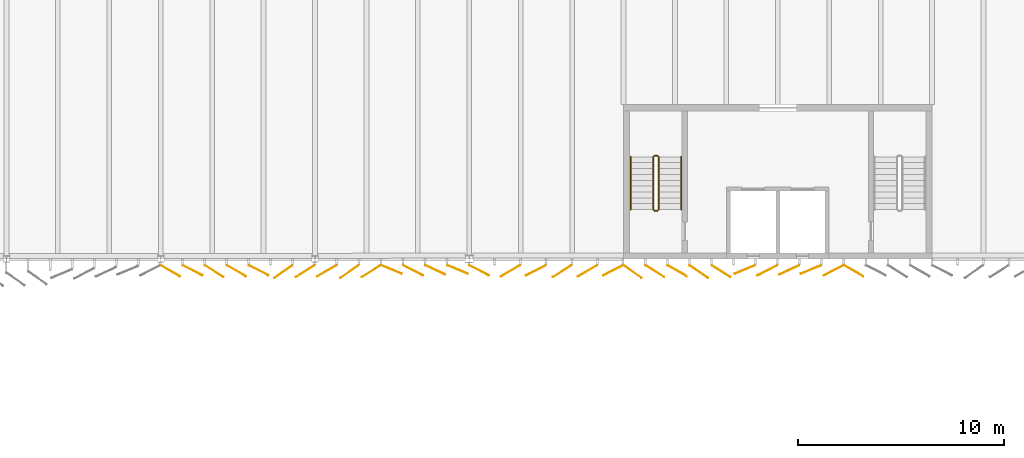
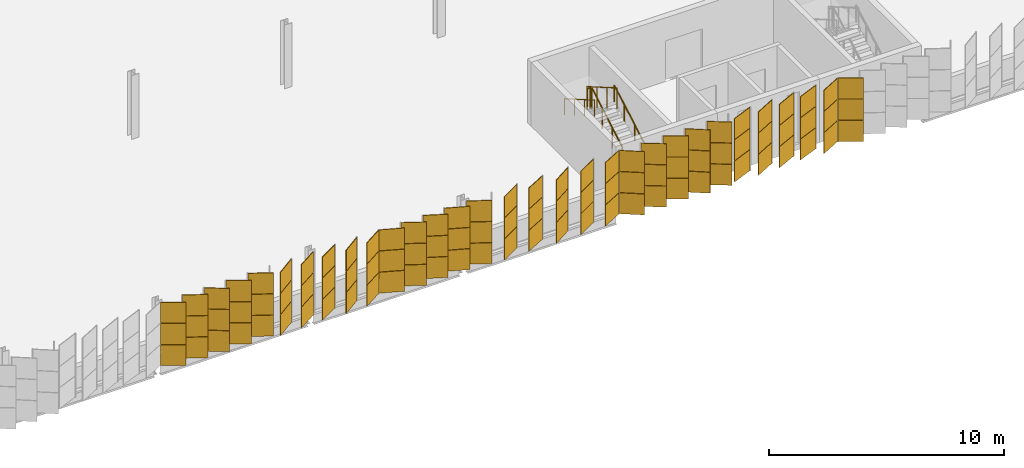
# One storey, part 182 of 199: 93 coverings, 6 railings.
"""IFC4 building model written with IfcOpenShell, lengths in metres."""

from ifc_helpers import new_model, si_unit, direction, frame, origin, origin_2d, place, context, subcontext, project, spatial, rectangle, circle, extrude, material, layer, layer_set, type_object, element, save


model = new_model("IFC4")

# Units and contexts
model_context = context("Model", 3, precision=1e-05, world=origin(), true_north=direction((0.0, 1.0)))
body_context = subcontext(model_context, "Body", "Model", "MODEL_VIEW")
ifc_project = project(units=[si_unit("LENGTHUNIT", "METRE"), si_unit("AREAUNIT", "SQUARE_METRE"), si_unit("VOLUMEUNIT", "CUBIC_METRE"), si_unit("PLANEANGLEUNIT", "RADIAN"), si_unit("MASSUNIT", "GRAM", prefix="KILO")], contexts=[model_context])

# Site, building, storey
site_placement = place(None, origin())
site = spatial("IfcSite", under=ifc_project, at=site_placement, CompositionType="ELEMENT")
building_placement = place(site_placement, origin())
building = spatial("IfcBuilding", under=site, at=building_placement, Name="Parallax Yard Mobility Hub", CompositionType="ELEMENT")
storey_placement = place(building_placement, frame((0.0, 0.0, 9.89990234375)))
storey = spatial("IfcBuildingStorey", under=building, at=storey_placement, Name="L03", CompositionType="ELEMENT", Elevation=9.89990234375)

# Coverings
ifc_material_1 = material(Name="Aluminium panel, champagne finish", Category="aluminium")
ifc_layer_1 = layer(ifc_material_1, 0.030029296875)
ifc_layer_set_1 = layer_set([ifc_layer_1], Name="Skin panel 22.5 degree turn, champagne finish")
covering_type_1 = type_object("IfcCoveringType", Name="Skin panel 22.5 degree turn, champagne finish", PredefinedType="CLADDING", material=ifc_layer_set_1)
for number, where, z_axis, x_axis, name in (
    (1, (56.21533203125, 111.987060546875, 0.02001953125), (0.0, 0.0, 1.0), (0.923879532511, -0.382683432365, 0.0), "Skin panel 22.5 bay 4.4 row 1 level L03"),
    (2, (59.4296875, 111.987060546875, 0.02001953125), (0.0, 0.0, 1.0), (0.923879532511, -0.382683432365, 0.0), "Skin panel 22.5 bay 4.7 row 1 level L03"),
    (3, (73.402099609375, 111.987060546875, 0.02001953125), (0.0, 0.0, 1.0), (-0.923879532511, -0.382683432365, 0.0), "Skin panel 22.5 bay 6.6 row 1 level L03"),
    (4, (76.618896484375, 111.987060546875, 0.02001953125), (0.0, 0.0, 1.0), (-0.923879532511, -0.382683432365, 0.0), "Skin panel 22.5 bay 6.9 row 1 level L03"),
):
    element("IfcCovering", number, at=place(storey_placement, frame(where, z_axis=z_axis, x_axis=x_axis)), inside=storey, type_object=covering_type_1, Name=name, ObjectType="SCREEN", PredefinedType="CLADDING", context=body_context, shape_type="SweptSolid", body=[
        extrude(rectangle(XDim=1.080078125, YDim=0.030029296875, at=origin_2d()), origin(), (0.0, 0.0, 1.0), 1.080078125),
    ])
ifc_material_2 = material(Name="Aluminium panel, silver anodised", Category="aluminium")
ifc_layer_2 = layer(ifc_material_2, 0.030029296875)
ifc_layer_set_2 = layer_set([ifc_layer_2], Name="Skin panel 22.5 degree turn, silver anodised")
covering_type_2 = type_object("IfcCoveringType", Name="Skin panel 22.5 degree turn, silver anodised", PredefinedType="CLADDING", material=ifc_layer_set_2)
for number, where, z_axis, x_axis, name in (
    (5, (56.21533203125, 111.987060546875, 1.1201171875), (0.0, 0.0, 1.0), (0.923879532511, -0.382683432365, 0.0), "Skin panel 22.5 bay 4.4 row 2 level L03"),
    (6, (56.21533203125, 111.987060546875, 2.219970703125), (0.0, 0.0, 1.0), (0.923879532511, -0.382683432365, 0.0), "Skin panel 22.5 bay 4.4 row 3 level L03"),
    (7, (59.4296875, 111.987060546875, 1.1201171875), (0.0, 0.0, 1.0), (0.923879532511, -0.382683432365, 0.0), "Skin panel 22.5 bay 4.7 row 2 level L03"),
    (8, (59.4296875, 111.987060546875, 2.219970703125), (0.0, 0.0, 1.0), (0.923879532511, -0.382683432365, 0.0), "Skin panel 22.5 bay 4.7 row 3 level L03"),
    (9, (73.402099609375, 111.987060546875, 1.1201171875), (0.0, 0.0, 1.0), (-0.923879532511, -0.382683432365, 0.0), "Skin panel 22.5 bay 6.6 row 2 level L03"),
    (10, (73.402099609375, 111.987060546875, 2.219970703125), (0.0, 0.0, 1.0), (-0.923879532511, -0.382683432365, 0.0), "Skin panel 22.5 bay 6.6 row 3 level L03"),
    (11, (76.618896484375, 111.987060546875, 1.1201171875), (0.0, 0.0, 1.0), (-0.923879532511, -0.382683432365, 0.0), "Skin panel 22.5 bay 6.9 row 2 level L03"),
    (12, (76.618896484375, 111.987060546875, 2.219970703125), (0.0, 0.0, 1.0), (-0.923879532511, -0.382683432365, 0.0), "Skin panel 22.5 bay 6.9 row 3 level L03"),
):
    element("IfcCovering", number, at=place(storey_placement, frame(where, z_axis=z_axis, x_axis=x_axis)), inside=storey, type_object=covering_type_2, Name=name, ObjectType="SCREEN", PredefinedType="CLADDING", context=body_context, shape_type="SweptSolid", body=[
        extrude(rectangle(XDim=1.080078125, YDim=0.030029296875, at=origin_2d()), origin(), (0.0, 0.0, 1.0), 1.080078125),
    ])
ifc_layer_3 = layer(ifc_material_1, 0.030029296875)
ifc_layer_set_3 = layer_set([ifc_layer_3], Name="Skin panel 25 degree turn, champagne finish")
covering_type_3 = type_object("IfcCoveringType", Name="Skin panel 25 degree turn, champagne finish", PredefinedType="CLADDING", material=ifc_layer_set_3)
for number, where, z_axis, x_axis, name in (
    (13, (58.3486328125, 111.96484375, 0.02001953125), (0.0, 0.0, 1.0), (0.906307787037, -0.422618261741, 0.0), "Skin panel 25 bay 4.6 row 1 level L03"),
    (14, (75.556396484375, 111.96484375, 0.02001953125), (0.0, 0.0, 1.0), (-0.906307787037, -0.422618261741, 0.0), "Skin panel 25 bay 6.8 row 1 level L03"),
):
    element("IfcCovering", number, at=place(storey_placement, frame(where, z_axis=z_axis, x_axis=x_axis)), inside=storey, type_object=covering_type_3, Name=name, ObjectType="SCREEN", PredefinedType="CLADDING", context=body_context, shape_type="SweptSolid", body=[
        extrude(rectangle(XDim=1.080078125, YDim=0.030029296875, at=origin_2d()), origin(), (0.0, 0.0, 1.0), 1.080078125),
    ])
ifc_layer_4 = layer(ifc_material_2, 0.030029296875)
ifc_layer_set_4 = layer_set([ifc_layer_4], Name="Skin panel 25 degree turn, silver anodised")
covering_type_4 = type_object("IfcCoveringType", Name="Skin panel 25 degree turn, silver anodised", PredefinedType="CLADDING", material=ifc_layer_set_4)
for number, where, z_axis, x_axis, name in (
    (15, (58.3486328125, 111.96484375, 1.1201171875), (0.0, 0.0, 1.0), (0.906307787037, -0.422618261741, 0.0), "Skin panel 25 bay 4.6 row 2 level L03"),
    (16, (58.3486328125, 111.96484375, 2.219970703125), (0.0, 0.0, 1.0), (0.906307787037, -0.422618261741, 0.0), "Skin panel 25 bay 4.6 row 3 level L03"),
    (17, (75.556396484375, 111.96484375, 1.1201171875), (0.0, 0.0, 1.0), (-0.906307787037, -0.422618261741, 0.0), "Skin panel 25 bay 6.8 row 2 level L03"),
    (18, (75.556396484375, 111.96484375, 2.219970703125), (0.0, 0.0, 1.0), (-0.906307787037, -0.422618261741, 0.0), "Skin panel 25 bay 6.8 row 3 level L03"),
):
    element("IfcCovering", number, at=place(storey_placement, frame(where, z_axis=z_axis, x_axis=x_axis)), inside=storey, type_object=covering_type_4, Name=name, ObjectType="SCREEN", PredefinedType="CLADDING", context=body_context, shape_type="SweptSolid", body=[
        extrude(rectangle(XDim=1.080078125, YDim=0.030029296875, at=origin_2d()), origin(), (0.0, 0.0, 1.0), 1.080078125),
    ])
ifc_layer_5 = layer(ifc_material_1, 0.030029296875)
ifc_layer_set_5 = layer_set([ifc_layer_5], Name="Skin panel 27.5 degree turn, champagne finish")
covering_type_5 = type_object("IfcCoveringType", Name="Skin panel 27.5 degree turn, champagne finish", PredefinedType="CLADDING", material=ifc_layer_set_5)
for number, where, z_axis, x_axis, name in (
    (19, (46.55126953125, 111.943115234375, 0.02001953125), (0.0, 0.0, 1.0), (0.887010833178, -0.461748613235, 0.0), "Skin panel 27.5 bay 3.2 row 1 level L03"),
    (20, (49.765869140625, 111.943115234375, 0.02001953125), (0.0, 0.0, 1.0), (0.887010833178, -0.461748613235, 0.0), "Skin panel 27.5 bay 3.5 row 1 level L03"),
    (21, (57.266357421875, 111.943115234375, 0.02001953125), (0.0, 0.0, 1.0), (0.887010833178, -0.461748613235, 0.0), "Skin panel 27.5 bay 4.5 row 1 level L03"),
    (22, (60.480712890625, 111.943115234375, 0.02001953125), (0.0, 0.0, 1.0), (0.887010833178, -0.461748613235, 0.0), "Skin panel 27.5 bay 5.1 row 1 level L03"),
    (23, (63.24169921875, 111.943115234375, 0.02001953125), (0.0, 0.0, 1.0), (-0.887010833178, -0.461748613235, 0.0), "Skin panel 27.5 bay 5.3 row 1 level L03"),
    (24, (66.989501953125, 111.943115234375, 0.02001953125), (0.0, 0.0, 1.0), (-0.887010833178, -0.461748613235, 0.0), "Skin panel 27.5 bay 5.6 row 1 level L03"),
    (25, (74.494873046875, 111.943115234375, 0.02001953125), (0.0, 0.0, 1.0), (-0.887010833178, -0.461748613235, 0.0), "Skin panel 27.5 bay 6.7 row 1 level L03"),
    (26, (77.71142578125, 111.943115234375, 0.02001953125), (0.0, 0.0, 1.0), (-0.887010833178, -0.461748613235, 0.0), "Skin panel 27.5 bay 6.10 row 1 level L03"),
):
    element("IfcCovering", number, at=place(storey_placement, frame(where, z_axis=z_axis, x_axis=x_axis)), inside=storey, type_object=covering_type_5, Name=name, ObjectType="SCREEN", PredefinedType="CLADDING", context=body_context, shape_type="SweptSolid", body=[
        extrude(rectangle(XDim=1.080078125, YDim=0.030029296875, at=origin_2d()), origin(), (0.0, 0.0, 1.0), 1.080078125),
    ])
ifc_layer_6 = layer(ifc_material_2, 0.030029296875)
ifc_layer_set_6 = layer_set([ifc_layer_6], Name="Skin panel 27.5 degree turn, silver anodised")
covering_type_6 = type_object("IfcCoveringType", Name="Skin panel 27.5 degree turn, silver anodised", PredefinedType="CLADDING", material=ifc_layer_set_6)
for number, where, z_axis, x_axis, name in (
    (27, (46.55126953125, 111.943115234375, 1.1201171875), (0.0, 0.0, 1.0), (0.887010833178, -0.461748613235, 0.0), "Skin panel 27.5 bay 3.2 row 2 level L03"),
    (28, (46.55126953125, 111.943115234375, 2.219970703125), (0.0, 0.0, 1.0), (0.887010833178, -0.461748613235, 0.0), "Skin panel 27.5 bay 3.2 row 3 level L03"),
    (29, (49.765869140625, 111.943115234375, 1.1201171875), (0.0, 0.0, 1.0), (0.887010833178, -0.461748613235, 0.0), "Skin panel 27.5 bay 3.5 row 2 level L03"),
    (30, (49.765869140625, 111.943115234375, 2.219970703125), (0.0, 0.0, 1.0), (0.887010833178, -0.461748613235, 0.0), "Skin panel 27.5 bay 3.5 row 3 level L03"),
    (31, (57.266357421875, 111.943115234375, 1.1201171875), (0.0, 0.0, 1.0), (0.887010833178, -0.461748613235, 0.0), "Skin panel 27.5 bay 4.5 row 2 level L03"),
    (32, (57.266357421875, 111.943115234375, 2.219970703125), (0.0, 0.0, 1.0), (0.887010833178, -0.461748613235, 0.0), "Skin panel 27.5 bay 4.5 row 3 level L03"),
    (33, (60.480712890625, 111.943115234375, 1.1201171875), (0.0, 0.0, 1.0), (0.887010833178, -0.461748613235, 0.0), "Skin panel 27.5 bay 5.1 row 2 level L03"),
    (34, (60.480712890625, 111.943115234375, 2.219970703125), (0.0, 0.0, 1.0), (0.887010833178, -0.461748613235, 0.0), "Skin panel 27.5 bay 5.1 row 3 level L03"),
    (35, (63.24169921875, 111.943115234375, 1.1201171875), (0.0, 0.0, 1.0), (-0.887010833178, -0.461748613235, 0.0), "Skin panel 27.5 bay 5.3 row 2 level L03"),
    (36, (63.24169921875, 111.943115234375, 2.219970703125), (0.0, 0.0, 1.0), (-0.887010833178, -0.461748613235, 0.0), "Skin panel 27.5 bay 5.3 row 3 level L03"),
    (37, (66.989501953125, 111.943115234375, 1.1201171875), (0.0, 0.0, 1.0), (-0.887010833178, -0.461748613235, 0.0), "Skin panel 27.5 bay 5.6 row 2 level L03"),
    (38, (66.989501953125, 111.943115234375, 2.219970703125), (0.0, 0.0, 1.0), (-0.887010833178, -0.461748613235, 0.0), "Skin panel 27.5 bay 5.6 row 3 level L03"),
    (39, (74.494873046875, 111.943115234375, 1.1201171875), (0.0, 0.0, 1.0), (-0.887010833178, -0.461748613235, 0.0), "Skin panel 27.5 bay 6.7 row 2 level L03"),
    (40, (74.494873046875, 111.943115234375, 2.219970703125), (0.0, 0.0, 1.0), (-0.887010833178, -0.461748613235, 0.0), "Skin panel 27.5 bay 6.7 row 3 level L03"),
    (41, (77.71142578125, 111.943115234375, 1.1201171875), (0.0, 0.0, 1.0), (-0.887010833178, -0.461748613235, 0.0), "Skin panel 27.5 bay 6.10 row 2 level L03"),
    (42, (77.71142578125, 111.943115234375, 2.219970703125), (0.0, 0.0, 1.0), (-0.887010833178, -0.461748613235, 0.0), "Skin panel 27.5 bay 6.10 row 3 level L03"),
):
    element("IfcCovering", number, at=place(storey_placement, frame(where, z_axis=z_axis, x_axis=x_axis)), inside=storey, type_object=covering_type_6, Name=name, ObjectType="SCREEN", PredefinedType="CLADDING", context=body_context, shape_type="SweptSolid", body=[
        extrude(rectangle(XDim=1.080078125, YDim=0.030029296875, at=origin_2d()), origin(), (0.0, 0.0, 1.0), 1.080078125),
    ])
ifc_layer_7 = layer(ifc_material_1, 0.030029296875)
ifc_layer_set_7 = layer_set([ifc_layer_7], Name="Skin panel 30 degree turn, champagne finish")
covering_type_7 = type_object("IfcCoveringType", Name="Skin panel 30 degree turn, champagne finish", PredefinedType="CLADDING", material=ifc_layer_set_7)
for number, where, z_axis, x_axis, name in (
    (43, (45.468017578125, 111.921875, 0.02001953125), (0.0, 0.0, 1.0), (0.866025403784, -0.5, 0.0), "Skin panel 30 bay 3.1 row 1 level L03"),
    (44, (48.6826171875, 111.921875, 0.02001953125), (0.0, 0.0, 1.0), (0.866025403784, -0.5, 0.0), "Skin panel 30 bay 3.4 row 1 level L03"),
    (45, (53.076416015625, 111.921875, 0.02001953125), (0.0, 0.0, 1.0), (-0.866025403784, -0.5, 0.0), "Skin panel 30 bay 4.1 row 1 level L03"),
    (46, (62.00390625, 111.921875, 0.02001953125), (0.0, 0.0, 1.0), (-0.866025403784, -0.5, 0.0), "Skin panel 30 bay 5.2 row 1 level L03"),
    (47, (65.751708984375, 111.921875, 0.02001953125), (0.0, 0.0, 1.0), (-0.866025403784, -0.5, 0.0), "Skin panel 30 bay 5.5 row 1 level L03"),
    (48, (70.109130859375, 111.921875, 0.02001953125), (0.0, 0.0, 1.0), (0.866025403784, -0.5, 0.0), "Skin panel 30 bay 6.3 row 1 level L03"),
    (49, (78.686767578125, 111.921875, 0.02001953125), (0.0, 0.0, 1.0), (0.866025403784, -0.5, 0.0), "Skin panel 30 bay 6.11 row 1 level L03"),
):
    element("IfcCovering", number, at=place(storey_placement, frame(where, z_axis=z_axis, x_axis=x_axis)), inside=storey, type_object=covering_type_7, Name=name, ObjectType="SCREEN", PredefinedType="CLADDING", context=body_context, shape_type="SweptSolid", body=[
        extrude(rectangle(XDim=1.080078125, YDim=0.030029296875, at=origin_2d()), origin(), (0.0, 0.0, 1.0), 1.080078125),
    ])
ifc_layer_8 = layer(ifc_material_2, 0.030029296875)
ifc_layer_set_8 = layer_set([ifc_layer_8], Name="Skin panel 30 degree turn, silver anodised")
covering_type_8 = type_object("IfcCoveringType", Name="Skin panel 30 degree turn, silver anodised", PredefinedType="CLADDING", material=ifc_layer_set_8)
for number, where, z_axis, x_axis, name in (
    (50, (45.468017578125, 111.921875, 1.1201171875), (0.0, 0.0, 1.0), (0.866025403784, -0.5, 0.0), "Skin panel 30 bay 3.1 row 2 level L03"),
    (51, (45.468017578125, 111.921875, 2.219970703125), (0.0, 0.0, 1.0), (0.866025403784, -0.5, 0.0), "Skin panel 30 bay 3.1 row 3 level L03"),
    (52, (48.6826171875, 111.921875, 1.1201171875), (0.0, 0.0, 1.0), (0.866025403784, -0.5, 0.0), "Skin panel 30 bay 3.4 row 2 level L03"),
    (53, (48.6826171875, 111.921875, 2.219970703125), (0.0, 0.0, 1.0), (0.866025403784, -0.5, 0.0), "Skin panel 30 bay 3.4 row 3 level L03"),
    (54, (53.076416015625, 111.921875, 1.1201171875), (0.0, 0.0, 1.0), (-0.866025403784, -0.5, 0.0), "Skin panel 30 bay 4.1 row 2 level L03"),
    (55, (53.076416015625, 111.921875, 2.219970703125), (0.0, 0.0, 1.0), (-0.866025403784, -0.5, 0.0), "Skin panel 30 bay 4.1 row 3 level L03"),
    (56, (62.00390625, 111.921875, 1.1201171875), (0.0, 0.0, 1.0), (-0.866025403784, -0.5, 0.0), "Skin panel 30 bay 5.2 row 2 level L03"),
    (57, (62.00390625, 111.921875, 2.219970703125), (0.0, 0.0, 1.0), (-0.866025403784, -0.5, 0.0), "Skin panel 30 bay 5.2 row 3 level L03"),
    (58, (65.751708984375, 111.921875, 1.1201171875), (0.0, 0.0, 1.0), (-0.866025403784, -0.5, 0.0), "Skin panel 30 bay 5.5 row 2 level L03"),
    (59, (65.751708984375, 111.921875, 2.219970703125), (0.0, 0.0, 1.0), (-0.866025403784, -0.5, 0.0), "Skin panel 30 bay 5.5 row 3 level L03"),
    (60, (70.109130859375, 111.921875, 1.1201171875), (0.0, 0.0, 1.0), (0.866025403784, -0.5, 0.0), "Skin panel 30 bay 6.3 row 2 level L03"),
    (61, (70.109130859375, 111.921875, 2.219970703125), (0.0, 0.0, 1.0), (0.866025403784, -0.5, 0.0), "Skin panel 30 bay 6.3 row 3 level L03"),
    (62, (78.686767578125, 111.921875, 1.1201171875), (0.0, 0.0, 1.0), (0.866025403784, -0.5, 0.0), "Skin panel 30 bay 6.11 row 2 level L03"),
    (63, (78.686767578125, 111.921875, 2.219970703125), (0.0, 0.0, 1.0), (0.866025403784, -0.5, 0.0), "Skin panel 30 bay 6.11 row 3 level L03"),
):
    element("IfcCovering", number, at=place(storey_placement, frame(where, z_axis=z_axis, x_axis=x_axis)), inside=storey, type_object=covering_type_8, Name=name, ObjectType="SCREEN", PredefinedType="CLADDING", context=body_context, shape_type="SweptSolid", body=[
        extrude(rectangle(XDim=1.080078125, YDim=0.030029296875, at=origin_2d()), origin(), (0.0, 0.0, 1.0), 1.080078125),
    ])
ifc_layer_9 = layer(ifc_material_1, 0.030029296875)
ifc_layer_set_9 = layer_set([ifc_layer_9], Name="Skin panel 32.5 degree turn, champagne finish")
covering_type_9 = type_object("IfcCoveringType", Name="Skin panel 32.5 degree turn, champagne finish", PredefinedType="CLADDING", material=ifc_layer_set_9)
for number, where, z_axis, x_axis, name in (
    (64, (47.598388671875, 111.901123046875, 0.02001953125), (0.0, 0.0, 1.0), (0.843391445813, -0.537299608347, 0.0), "Skin panel 32.5 bay 3.3 row 1 level L03"),
    (65, (52.017578125, 111.901123046875, 0.02001953125), (0.0, 0.0, 1.0), (-0.843391445813, -0.537299608347, 0.0), "Skin panel 32.5 bay 3.7 row 1 level L03"),
    (66, (55.232177734375, 111.901123046875, 0.02001953125), (0.0, 0.0, 1.0), (-0.843391445813, -0.537299608347, 0.0), "Skin panel 32.5 bay 4.3 row 1 level L03"),
    (67, (64.51513671875, 111.901123046875, 0.02001953125), (0.0, 0.0, 1.0), (-0.843391445813, -0.537299608347, 0.0), "Skin panel 32.5 bay 5.4 row 1 level L03"),
    (68, (69.0244140625, 111.901123046875, 0.02001953125), (0.0, 0.0, 1.0), (0.843391445813, -0.537299608347, 0.0), "Skin panel 32.5 bay 6.2 row 1 level L03"),
    (69, (72.240966796875, 111.901123046875, 0.02001953125), (0.0, 0.0, 1.0), (0.843391445813, -0.537299608347, 0.0), "Skin panel 32.5 bay 6.5 row 1 level L03"),
):
    element("IfcCovering", number, at=place(storey_placement, frame(where, z_axis=z_axis, x_axis=x_axis)), inside=storey, type_object=covering_type_9, Name=name, ObjectType="SCREEN", PredefinedType="CLADDING", context=body_context, shape_type="SweptSolid", body=[
        extrude(rectangle(XDim=1.080078125, YDim=0.030029296875, at=origin_2d()), origin(), (0.0, 0.0, 1.0), 1.080078125),
    ])
ifc_layer_10 = layer(ifc_material_2, 0.030029296875)
ifc_layer_set_10 = layer_set([ifc_layer_10], Name="Skin panel 32.5 degree turn, silver anodised")
covering_type_10 = type_object("IfcCoveringType", Name="Skin panel 32.5 degree turn, silver anodised", PredefinedType="CLADDING", material=ifc_layer_set_10)
for number, where, z_axis, x_axis, name in (
    (70, (47.598388671875, 111.901123046875, 1.1201171875), (0.0, 0.0, 1.0), (0.843391445813, -0.537299608347, 0.0), "Skin panel 32.5 bay 3.3 row 2 level L03"),
    (71, (47.598388671875, 111.901123046875, 2.219970703125), (0.0, 0.0, 1.0), (0.843391445813, -0.537299608347, 0.0), "Skin panel 32.5 bay 3.3 row 3 level L03"),
    (72, (52.017578125, 111.901123046875, 1.1201171875), (0.0, 0.0, 1.0), (-0.843391445813, -0.537299608347, 0.0), "Skin panel 32.5 bay 3.7 row 2 level L03"),
    (73, (52.017578125, 111.901123046875, 2.219970703125), (0.0, 0.0, 1.0), (-0.843391445813, -0.537299608347, 0.0), "Skin panel 32.5 bay 3.7 row 3 level L03"),
    (74, (55.232177734375, 111.901123046875, 1.1201171875), (0.0, 0.0, 1.0), (-0.843391445813, -0.537299608347, 0.0), "Skin panel 32.5 bay 4.3 row 2 level L03"),
    (75, (55.232177734375, 111.901123046875, 2.219970703125), (0.0, 0.0, 1.0), (-0.843391445813, -0.537299608347, 0.0), "Skin panel 32.5 bay 4.3 row 3 level L03"),
    (76, (64.51513671875, 111.901123046875, 1.1201171875), (0.0, 0.0, 1.0), (-0.843391445813, -0.537299608347, 0.0), "Skin panel 32.5 bay 5.4 row 2 level L03"),
    (77, (64.51513671875, 111.901123046875, 2.219970703125), (0.0, 0.0, 1.0), (-0.843391445813, -0.537299608347, 0.0), "Skin panel 32.5 bay 5.4 row 3 level L03"),
    (78, (69.0244140625, 111.901123046875, 1.1201171875), (0.0, 0.0, 1.0), (0.843391445813, -0.537299608347, 0.0), "Skin panel 32.5 bay 6.2 row 2 level L03"),
    (79, (69.0244140625, 111.901123046875, 2.219970703125), (0.0, 0.0, 1.0), (0.843391445813, -0.537299608347, 0.0), "Skin panel 32.5 bay 6.2 row 3 level L03"),
    (80, (72.240966796875, 111.901123046875, 1.1201171875), (0.0, 0.0, 1.0), (0.843391445813, -0.537299608347, 0.0), "Skin panel 32.5 bay 6.5 row 2 level L03"),
    (81, (72.240966796875, 111.901123046875, 2.219970703125), (0.0, 0.0, 1.0), (0.843391445813, -0.537299608347, 0.0), "Skin panel 32.5 bay 6.5 row 3 level L03"),
):
    element("IfcCovering", number, at=place(storey_placement, frame(where, z_axis=z_axis, x_axis=x_axis)), inside=storey, type_object=covering_type_10, Name=name, ObjectType="SCREEN", PredefinedType="CLADDING", context=body_context, shape_type="SweptSolid", body=[
        extrude(rectangle(XDim=1.080078125, YDim=0.030029296875, at=origin_2d()), origin(), (0.0, 0.0, 1.0), 1.080078125),
    ])
ifc_layer_11 = layer(ifc_material_1, 0.030029296875)
ifc_layer_set_11 = layer_set([ifc_layer_11], Name="Skin panel 35 degree turn, champagne finish")
covering_type_11 = type_object("IfcCoveringType", Name="Skin panel 35 degree turn, champagne finish", PredefinedType="CLADDING", material=ifc_layer_set_11)
for number, where, z_axis, x_axis, name in (
    (82, (50.959716796875, 111.880859375, 0.02001953125), (0.0, 0.0, 1.0), (-0.819152044289, -0.573576436351, 0.0), "Skin panel 35 bay 3.6 row 1 level L03"),
    (83, (54.174072265625, 111.880859375, 0.02001953125), (0.0, 0.0, 1.0), (-0.819152044289, -0.573576436351, 0.0), "Skin panel 35 bay 4.2 row 1 level L03"),
    (84, (67.938720703125, 111.880859375, 0.02001953125), (0.0, 0.0, 1.0), (0.819152044289, -0.573576436351, 0.0), "Skin panel 35 bay 6.1 row 1 level L03"),
    (85, (71.1552734375, 111.880859375, 0.02001953125), (0.0, 0.0, 1.0), (0.819152044289, -0.573576436351, 0.0), "Skin panel 35 bay 6.4 row 1 level L03"),
):
    element("IfcCovering", number, at=place(storey_placement, frame(where, z_axis=z_axis, x_axis=x_axis)), inside=storey, type_object=covering_type_11, Name=name, ObjectType="SCREEN", PredefinedType="CLADDING", context=body_context, shape_type="SweptSolid", body=[
        extrude(rectangle(XDim=1.080078125, YDim=0.030029296875, at=origin_2d()), origin(), (0.0, 0.0, 1.0), 1.080078125),
    ])
ifc_layer_12 = layer(ifc_material_2, 0.030029296875)
ifc_layer_set_12 = layer_set([ifc_layer_12], Name="Skin panel 35 degree turn, silver anodised")
covering_type_12 = type_object("IfcCoveringType", Name="Skin panel 35 degree turn, silver anodised", PredefinedType="CLADDING", material=ifc_layer_set_12)
for number, where, z_axis, x_axis, name in (
    (86, (50.959716796875, 111.880859375, 1.1201171875), (0.0, 0.0, 1.0), (-0.819152044289, -0.573576436351, 0.0), "Skin panel 35 bay 3.6 row 2 level L03"),
    (87, (50.959716796875, 111.880859375, 2.219970703125), (0.0, 0.0, 1.0), (-0.819152044289, -0.573576436351, 0.0), "Skin panel 35 bay 3.6 row 3 level L03"),
    (88, (54.174072265625, 111.880859375, 1.1201171875), (0.0, 0.0, 1.0), (-0.819152044289, -0.573576436351, 0.0), "Skin panel 35 bay 4.2 row 2 level L03"),
    (89, (54.174072265625, 111.880859375, 2.219970703125), (0.0, 0.0, 1.0), (-0.819152044289, -0.573576436351, 0.0), "Skin panel 35 bay 4.2 row 3 level L03"),
    (90, (67.938720703125, 111.880859375, 1.1201171875), (0.0, 0.0, 1.0), (0.819152044289, -0.573576436351, 0.0), "Skin panel 35 bay 6.1 row 2 level L03"),
    (91, (67.938720703125, 111.880859375, 2.219970703125), (0.0, 0.0, 1.0), (0.819152044289, -0.573576436351, 0.0), "Skin panel 35 bay 6.1 row 3 level L03"),
    (92, (71.1552734375, 111.880859375, 1.1201171875), (0.0, 0.0, 1.0), (0.819152044289, -0.573576436351, 0.0), "Skin panel 35 bay 6.4 row 2 level L03"),
    (93, (71.1552734375, 111.880859375, 2.219970703125), (0.0, 0.0, 1.0), (0.819152044289, -0.573576436351, 0.0), "Skin panel 35 bay 6.4 row 3 level L03"),
):
    element("IfcCovering", number, at=place(storey_placement, frame(where, z_axis=z_axis, x_axis=x_axis)), inside=storey, type_object=covering_type_12, Name=name, ObjectType="SCREEN", PredefinedType="CLADDING", context=body_context, shape_type="SweptSolid", body=[
        extrude(rectangle(XDim=1.080078125, YDim=0.030029296875, at=origin_2d()), origin(), (0.0, 0.0, 1.0), 1.080078125),
    ])

# Railings
ifc_material_3 = material(Name="Steel ASTM A36", Category="steel")
railing_type_1 = type_object("IfcRailingType", Name="Stair guard 1100", PredefinedType="GUARDRAIL", material=ifc_material_3)
railing_1_placement = place(storey_placement, frame((69.199951171875, 114.89990234375, 0.1650390625)))
element("IfcRailing", 94, at=railing_1_placement, inside=storey, type_object=railing_type_1, Name="L03 ST4 stair guard 1", PredefinedType="GUARDRAIL", context=body_context, shape_type="SweptSolid", body=[
    extrude(circle(Radius=0.02392578125, at=origin_2d()), frame((0.0, 0.0, 1.076171875), z_axis=(0.0, 0.865426285481, 0.501036270542), x_axis=(-1.0, 0.0, 0.0)), (0.0, 0.0, 1.0), 2.964111328125),
    extrude(circle(Radius=0.02099609375, at=origin_2d()), origin(), (0.0, 0.0, 1.0), 1.052001953125),
    extrude(circle(Radius=0.02099609375, at=origin_2d()), frame((0.0, 0.85498046875, 0.4951171875)), (0.0, 0.0, 1.0), 1.052001953125),
    extrude(circle(Radius=0.02099609375, at=origin_2d()), frame((0.0, 1.710205078125, 0.989990234375)), (0.0, 0.0, 1.0), 1.052001953125),
    extrude(circle(Radius=0.02099609375, at=origin_2d()), frame((0.0, 2.565185546875, 1.485107421875)), (0.0, 0.0, 1.0), 1.052001953125),
])
railing_2_placement = place(storey_placement, frame((69.14990234375, 117.514892578125, 1.650146484375)))
element("IfcRailing", 95, at=railing_2_placement, inside=storey, type_object=railing_type_1, Name="L03 ST4 stair guard 2", PredefinedType="GUARDRAIL", context=body_context, shape_type="SweptSolid", body=[
    extrude(circle(Radius=0.02392578125, at=origin_2d()), frame((0.0, 0.0, 1.076171875), z_axis=(-1.0, 0.0, 0.0), x_axis=(0.0, -1.0, 0.0)), (0.0, 0.0, 1.0), 0.14990234375),
    extrude(circle(Radius=0.02099609375, at=origin_2d()), origin(), (0.0, 0.0, 1.0), 1.052001953125),
    extrude(circle(Radius=0.02099609375, at=origin_2d()), frame((-0.14990234375, 0.0, 0.0)), (0.0, 0.0, 1.0), 1.052001953125),
])
railing_3_placement = place(storey_placement, frame((68.949951171875, 117.465087890625, 1.815185546875)))
element("IfcRailing", 96, at=railing_3_placement, inside=storey, type_object=railing_type_1, Name="L03 ST4 stair guard 3", PredefinedType="GUARDRAIL", context=body_context, shape_type="SweptSolid", body=[
    extrude(circle(Radius=0.02392578125, at=origin_2d()), frame((0.0, 0.0, 1.076171875), z_axis=(0.0, -0.865461999751, 0.500974577186), x_axis=(1.0, 0.0, 0.0)), (0.0, 0.0, 1.0), 2.9638671875),
    extrude(circle(Radius=0.02099609375, at=origin_2d()), origin(), (0.0, 0.0, 1.0), 1.052001953125),
    extrude(circle(Radius=0.02099609375, at=origin_2d()), frame((0.0, -0.85498046875, 0.494873046875)), (0.0, 0.0, 1.0), 1.052001953125),
    extrude(circle(Radius=0.02099609375, at=origin_2d()), frame((0.0, -1.710205078125, 0.989990234375)), (0.0, 0.0, 1.0), 1.052001953125),
    extrude(circle(Radius=0.02099609375, at=origin_2d()), frame((0.0, -2.565185546875, 1.48486328125)), (0.0, 0.0, 1.0), 1.052001953125),
])
railing_4_placement = place(storey_placement, frame((69.14990234375, 114.85009765625, 0.0)))
element("IfcRailing", 97, at=railing_4_placement, inside=storey, type_object=railing_type_1, Name="L03 ST4 stair guard 4", PredefinedType="GUARDRAIL", context=body_context, shape_type="SweptSolid", body=[
    extrude(circle(Radius=0.02392578125, at=origin_2d()), frame((0.0, 0.0, 1.076171875), z_axis=(-1.0, 0.0, 0.0), x_axis=(0.0, -1.0, 0.0)), (0.0, 0.0, 1.0), 0.14990234375),
    extrude(circle(Radius=0.02099609375, at=origin_2d()), origin(), (0.0, 0.0, 1.0), 1.052001953125),
    extrude(circle(Radius=0.02099609375, at=origin_2d()), frame((-0.14990234375, 0.0, 0.0)), (0.0, 0.0, 1.0), 1.052001953125),
])
railing_type_2 = type_object("IfcRailingType", Name="Stair handrail", PredefinedType="HANDRAIL", material=ifc_material_3)
railing_5_placement = place(storey_placement, frame((70.300048828125, 114.89990234375, 0.1650390625)))
element("IfcRailing", 98, at=railing_5_placement, inside=storey, type_object=railing_type_2, Name="L03 ST4 stair handrail 1", PredefinedType="HANDRAIL", context=body_context, shape_type="SweptSolid", body=[
    extrude(circle(Radius=0.02392578125, at=origin_2d()), frame((0.0, 0.0, 0.8310546875), z_axis=(0.0, 0.865426285481, 0.501036270542), x_axis=(-1.0, 0.0, 0.0)), (0.0, 0.0, 1.0), 2.964111328125),
    extrude(circle(Radius=0.02099609375, at=origin_2d()), origin(), (0.0, 0.0, 1.0), 0.806884765625),
    extrude(circle(Radius=0.02099609375, at=origin_2d()), frame((0.0, 0.85498046875, 0.4951171875)), (0.0, 0.0, 1.0), 0.806884765625),
    extrude(circle(Radius=0.02099609375, at=origin_2d()), frame((0.0, 1.710205078125, 0.989990234375)), (0.0, 0.0, 1.0), 0.806884765625),
    extrude(circle(Radius=0.02099609375, at=origin_2d()), frame((0.0, 2.565185546875, 1.485107421875)), (0.0, 0.0, 1.0), 0.806884765625),
])
railing_6_placement = place(storey_placement, frame((67.85009765625, 117.465087890625, 1.815185546875)))
element("IfcRailing", 99, at=railing_6_placement, inside=storey, type_object=railing_type_2, Name="L03 ST4 stair handrail 2", PredefinedType="HANDRAIL", context=body_context, shape_type="SweptSolid", body=[
    extrude(circle(Radius=0.02392578125, at=origin_2d()), frame((0.0, 0.0, 0.8310546875), z_axis=(0.0, -0.865461999751, 0.500974577186), x_axis=(1.0, 0.0, 0.0)), (0.0, 0.0, 1.0), 2.9638671875),
    extrude(circle(Radius=0.02099609375, at=origin_2d()), origin(), (0.0, 0.0, 1.0), 0.806884765625),
    extrude(circle(Radius=0.02099609375, at=origin_2d()), frame((0.0, -0.85498046875, 0.494873046875)), (0.0, 0.0, 1.0), 0.806884765625),
    extrude(circle(Radius=0.02099609375, at=origin_2d()), frame((0.0, -1.710205078125, 0.989990234375)), (0.0, 0.0, 1.0), 0.806884765625),
    extrude(circle(Radius=0.02099609375, at=origin_2d()), frame((0.0, -2.565185546875, 1.48486328125)), (0.0, 0.0, 1.0), 0.806884765625),
])

save(model, "model.ifc")
